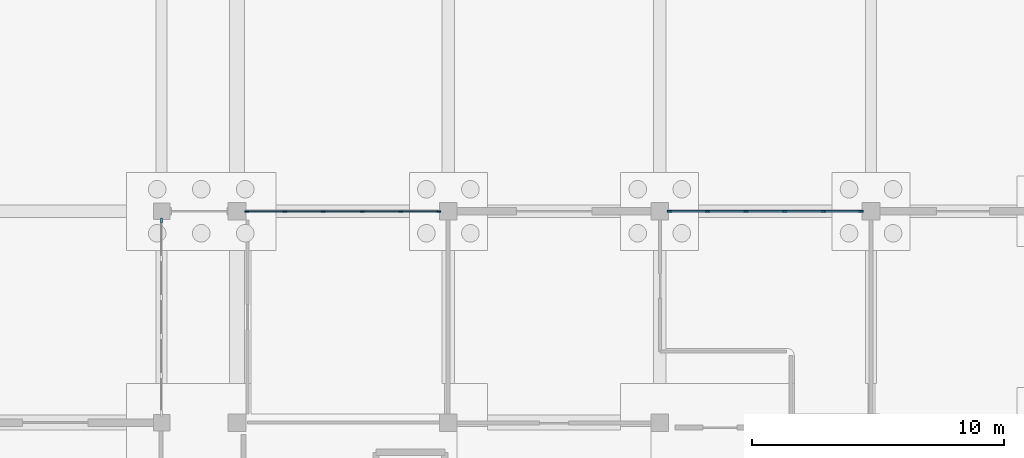
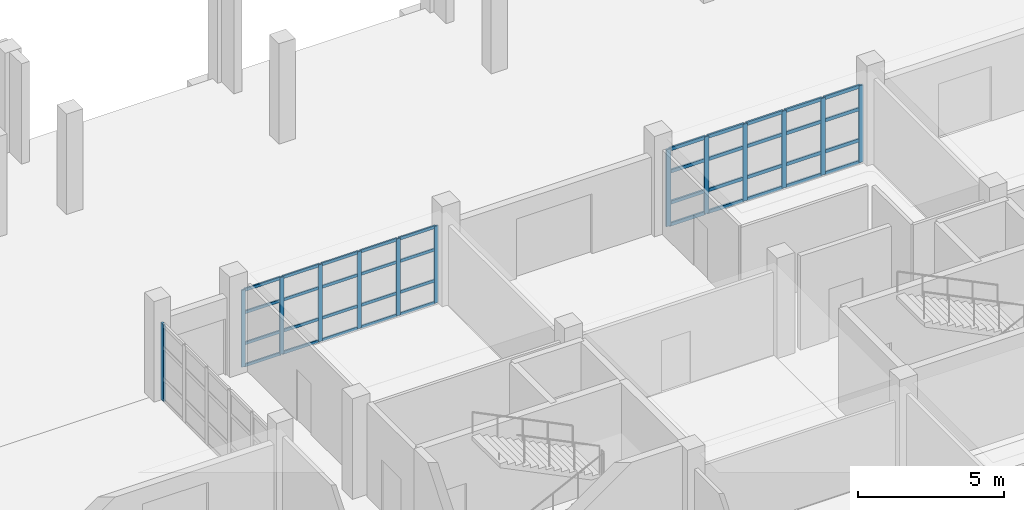
# One storey, part 35 of 88: 53 members, 3 elements without a shape of their own.
"""IFC4 building model written with IfcOpenShell, lengths in metres."""

from ifc_helpers import new_model, si_unit, direction, frame, origin, origin_2d, place, context, subcontext, project, spatial, rectangle, extrude, material, material_profile, profile_set, type_object, element, aggregate, save


model = new_model("IFC4")

# Units and contexts
model_context = context("Model", 3, precision=1e-05, world=origin(), true_north=direction((0.0, 1.0)))
body_context = subcontext(model_context, "Body", "Model", "MODEL_VIEW")
ifc_project = project(units=[si_unit("LENGTHUNIT", "METRE"), si_unit("AREAUNIT", "SQUARE_METRE"), si_unit("VOLUMEUNIT", "CUBIC_METRE"), si_unit("PLANEANGLEUNIT", "RADIAN"), si_unit("MASSUNIT", "GRAM", prefix="KILO")], contexts=[model_context])

# Site, building, storey
site_placement = place(None, origin())
site = spatial("IfcSite", under=ifc_project, at=site_placement, CompositionType="ELEMENT")
building_placement = place(site_placement, origin())
building = spatial("IfcBuilding", under=site, at=building_placement, Name="Vanh Quang Courtyard School", CompositionType="ELEMENT")
storey_placement = place(building_placement, origin())
storey = spatial("IfcBuildingStorey", under=building, at=storey_placement, Name="L00", CompositionType="ELEMENT", Elevation=0.0)

# Curtain wall, members
ifc_material_1 = material(Name="Thermally broken aluminium unitised curtain wall", Category="aluminium")
curtain_wall_type = type_object("IfcCurtainWallType", Name="CW-SYS-02", PredefinedType="NOTDEFINED", material=ifc_material_1)
curtain_wall_1_placement = place(storey_placement, origin())
curtain_wall_1 = element("IfcCurtainWall", 1, at=curtain_wall_1_placement, inside=storey, type_object=curtain_wall_type, Name="Curtain Wall CW-02 (L00)", PredefinedType="NOTDEFINED")
ifc_material_2 = material(Name="Anodised aluminium 6063-T6", Category="aluminium")
ifc_material_profile_1 = material_profile(ifc_material_2, rectangle(XDim=0.06005859375, YDim=0.159912109375, at=origin_2d()), Name="ALU-MUL 60x160")
ifc_profile_set_1 = profile_set([ifc_material_profile_1], Name="Anodised aluminium 6063-T6")
member_type_1 = type_object("IfcMemberType", Name="CW-MUL-60x160", PredefinedType="MULLION", material=ifc_profile_set_1)
member_1_placement = place(storey_placement, frame((77.7880859375, 96.60009765625, 0.0), z_axis=(0.0, 0.0, 1.0), x_axis=(0.0, 1.0, 0.0)))
member_1 = element("IfcMember", 2, at=member_1_placement, type_object=member_type_1, Name="CW-02 mullion 1", PredefinedType="MULLION", context=body_context, shape_type="SweptSolid", body=[
    extrude(rectangle(XDim=0.06005859375, YDim=0.159912109375, at=origin_2d()), origin(), (0.0, 0.0, 1.0), 3.219970703125),
])
member_2_placement = place(storey_placement, frame((79.294921875, 96.60009765625, 0.0), z_axis=(0.0, 0.0, 1.0), x_axis=(0.0, 1.0, 0.0)))
member_2 = element("IfcMember", 3, at=member_2_placement, type_object=member_type_1, Name="CW-02 mullion 2", PredefinedType="MULLION", context=body_context, shape_type="SweptSolid", body=[
    extrude(rectangle(XDim=0.06005859375, YDim=0.159912109375, at=origin_2d()), origin(), (0.0, 0.0, 1.0), 3.219970703125),
])
member_3_placement = place(storey_placement, frame((80.83154296875, 96.60009765625, 0.0), z_axis=(0.0, 0.0, 1.0), x_axis=(0.0, 1.0, 0.0)))
member_3 = element("IfcMember", 4, at=member_3_placement, type_object=member_type_1, Name="CW-02 mullion 3", PredefinedType="MULLION", context=body_context, shape_type="SweptSolid", body=[
    extrude(rectangle(XDim=0.06005859375, YDim=0.159912109375, at=origin_2d()), origin(), (0.0, 0.0, 1.0), 3.219970703125),
])
member_4_placement = place(storey_placement, frame((82.368408203125, 96.60009765625, 0.0), z_axis=(0.0, 0.0, 1.0), x_axis=(0.0, 1.0, 0.0)))
member_4 = element("IfcMember", 5, at=member_4_placement, type_object=member_type_1, Name="CW-02 mullion 4", PredefinedType="MULLION", context=body_context, shape_type="SweptSolid", body=[
    extrude(rectangle(XDim=0.06005859375, YDim=0.159912109375, at=origin_2d()), origin(), (0.0, 0.0, 1.0), 3.219970703125),
])
member_5_placement = place(storey_placement, frame((83.9052734375, 96.60009765625, 0.0), z_axis=(0.0, 0.0, 1.0), x_axis=(0.0, 1.0, 0.0)))
member_5 = element("IfcMember", 6, at=member_5_placement, type_object=member_type_1, Name="CW-02 mullion 5", PredefinedType="MULLION", context=body_context, shape_type="SweptSolid", body=[
    extrude(rectangle(XDim=0.06005859375, YDim=0.159912109375, at=origin_2d()), origin(), (0.0, 0.0, 1.0), 3.219970703125),
])
member_6_placement = place(storey_placement, frame((85.412109375, 96.60009765625, 0.0), z_axis=(0.0, 0.0, 1.0), x_axis=(0.0, 1.0, 0.0)))
member_6 = element("IfcMember", 7, at=member_6_placement, type_object=member_type_1, Name="CW-02 mullion 6", PredefinedType="MULLION", context=body_context, shape_type="SweptSolid", body=[
    extrude(rectangle(XDim=0.06005859375, YDim=0.159912109375, at=origin_2d()), origin(), (0.0, 0.0, 1.0), 3.219970703125),
])

curtain_wall_2_placement = place(storey_placement, origin())
curtain_wall_2 = element("IfcCurtainWall", 8, at=curtain_wall_2_placement, inside=storey, type_object=curtain_wall_type, Name="Curtain Wall CW-02 (L00)", PredefinedType="NOTDEFINED")
ifc_material_profile_2 = material_profile(ifc_material_2, rectangle(XDim=0.070068359375, YDim=0.179931640625, at=origin_2d()), Name="ALU-MUL 70x180")
ifc_profile_set_2 = profile_set([ifc_material_profile_2], Name="Anodised aluminium 6063-T6")
member_type_2 = type_object("IfcMemberType", Name="CW-MUL-70x180", PredefinedType="MULLION", material=ifc_profile_set_2)
member_7_placement = place(storey_placement, frame((94.593017578125, 96.60009765625, 0.0), z_axis=(0.0, 0.0, 1.0), x_axis=(0.0, 1.0, 0.0)))
member_7 = element("IfcMember", 9, at=member_7_placement, type_object=member_type_2, Name="CW-02 mullion 1", PredefinedType="MULLION", context=body_context, shape_type="SweptSolid", body=[
    extrude(rectangle(XDim=0.070068359375, YDim=0.179931640625, at=origin_2d()), origin(), (0.0, 0.0, 1.0), 3.219970703125),
])
member_8_placement = place(storey_placement, frame((96.0947265625, 96.60009765625, 0.0), z_axis=(0.0, 0.0, 1.0), x_axis=(0.0, 1.0, 0.0)))
member_8 = element("IfcMember", 10, at=member_8_placement, type_object=member_type_2, Name="CW-02 mullion 2", PredefinedType="MULLION", context=body_context, shape_type="SweptSolid", body=[
    extrude(rectangle(XDim=0.070068359375, YDim=0.179931640625, at=origin_2d()), origin(), (0.0, 0.0, 1.0), 3.219970703125),
])
member_9_placement = place(storey_placement, frame((97.631591796875, 96.60009765625, 0.0), z_axis=(0.0, 0.0, 1.0), x_axis=(0.0, 1.0, 0.0)))
member_9 = element("IfcMember", 11, at=member_9_placement, type_object=member_type_2, Name="CW-02 mullion 3", PredefinedType="MULLION", context=body_context, shape_type="SweptSolid", body=[
    extrude(rectangle(XDim=0.070068359375, YDim=0.179931640625, at=origin_2d()), origin(), (0.0, 0.0, 1.0), 3.219970703125),
])
member_10_placement = place(storey_placement, frame((99.16845703125, 96.60009765625, 0.0), z_axis=(0.0, 0.0, 1.0), x_axis=(0.0, 1.0, 0.0)))
member_10 = element("IfcMember", 12, at=member_10_placement, type_object=member_type_2, Name="CW-02 mullion 4", PredefinedType="MULLION", context=body_context, shape_type="SweptSolid", body=[
    extrude(rectangle(XDim=0.070068359375, YDim=0.179931640625, at=origin_2d()), origin(), (0.0, 0.0, 1.0), 3.219970703125),
])
member_11_placement = place(storey_placement, frame((100.705078125, 96.60009765625, 0.0), z_axis=(0.0, 0.0, 1.0), x_axis=(0.0, 1.0, 0.0)))
member_11 = element("IfcMember", 13, at=member_11_placement, type_object=member_type_2, Name="CW-02 mullion 5", PredefinedType="MULLION", context=body_context, shape_type="SweptSolid", body=[
    extrude(rectangle(XDim=0.070068359375, YDim=0.179931640625, at=origin_2d()), origin(), (0.0, 0.0, 1.0), 3.219970703125),
])
member_12_placement = place(storey_placement, frame((102.20703125, 96.60009765625, 0.0), z_axis=(0.0, 0.0, 1.0), x_axis=(0.0, 1.0, 0.0)))
member_12 = element("IfcMember", 14, at=member_12_placement, type_object=member_type_2, Name="CW-02 mullion 6", PredefinedType="MULLION", context=body_context, shape_type="SweptSolid", body=[
    extrude(rectangle(XDim=0.070068359375, YDim=0.179931640625, at=origin_2d()), origin(), (0.0, 0.0, 1.0), 3.219970703125),
])

# Curtain wall, member
curtain_wall_3_placement = place(storey_placement, origin())
curtain_wall_3 = element("IfcCurtainWall", 15, at=curtain_wall_3_placement, inside=storey, type_object=curtain_wall_type, Name="Curtain Wall CW-02 (L00)", PredefinedType="NOTDEFINED")
ifc_material_profile_3 = material_profile(ifc_material_2, rectangle(XDim=0.080078125, YDim=0.199951171875, at=origin_2d()), Name="ALU-MUL 80x200")
ifc_profile_set_3 = profile_set([ifc_material_profile_3], Name="Anodised aluminium 6063-T6")
member_type_3 = type_object("IfcMemberType", Name="CW-MUL-80x200", PredefinedType="MULLION", material=ifc_profile_set_3)
member_13_placement = place(storey_placement, frame((74.39990234375, 96.22705078125, 0.0), z_axis=(0.0, 0.0, 1.0), x_axis=(-1.0, 0.0, 0.0)))
member_13 = element("IfcMember", 16, at=member_13_placement, type_object=member_type_3, Name="CW-02 mullion 6", PredefinedType="MULLION", context=body_context, shape_type="SweptSolid", body=[
    extrude(rectangle(XDim=0.080078125, YDim=0.199951171875, at=origin_2d()), origin(), (0.0, 0.0, 1.0), 3.219970703125),
])
aggregate(curtain_wall_3, [member_13])

# Member
ifc_material_profile_4 = material_profile(ifc_material_2, rectangle(XDim=0.06005859375, YDim=0.1201171875, at=origin_2d()), Name="ALU-TRN 60x120")
ifc_profile_set_4 = profile_set([ifc_material_profile_4], Name="Anodised aluminium 6063-T6")
member_type_4 = type_object("IfcMemberType", Name="CW-TRN-60x120", PredefinedType="USERDEFINED", material=ifc_profile_set_4)
member_14_placement = place(storey_placement, frame((77.818115234375, 96.60009765625, 0.030029296875), z_axis=(1.0, 0.0, 0.0), x_axis=(0.0, 1.0, 0.0)))
member_14 = element("IfcMember", 17, at=member_14_placement, type_object=member_type_4, Name="CW-02 transom 1.1", ObjectType="TRANSOM", PredefinedType="USERDEFINED", context=body_context, shape_type="SweptSolid", body=[
    extrude(rectangle(XDim=0.06005859375, YDim=0.1201171875, at=origin_2d()), origin(), (0.0, 0.0, 1.0), 1.44677734375),
])

member_15_placement = place(storey_placement, frame((77.818115234375, 96.60009765625, 0.949951171875), z_axis=(1.0, 0.0, 0.0), x_axis=(0.0, 1.0, 0.0)))
member_15 = element("IfcMember", 18, at=member_15_placement, type_object=member_type_4, Name="CW-02 transom 1.2", ObjectType="TRANSOM", PredefinedType="USERDEFINED", context=body_context, shape_type="SweptSolid", body=[
    extrude(rectangle(XDim=0.06005859375, YDim=0.1201171875, at=origin_2d()), origin(), (0.0, 0.0, 1.0), 1.44677734375),
])

member_16_placement = place(storey_placement, frame((77.818115234375, 96.60009765625, 2.25), z_axis=(1.0, 0.0, 0.0), x_axis=(0.0, 1.0, 0.0)))
member_16 = element("IfcMember", 19, at=member_16_placement, type_object=member_type_4, Name="CW-02 transom 1.3", ObjectType="TRANSOM", PredefinedType="USERDEFINED", context=body_context, shape_type="SweptSolid", body=[
    extrude(rectangle(XDim=0.06005859375, YDim=0.1201171875, at=origin_2d()), origin(), (0.0, 0.0, 1.0), 1.44677734375),
])

member_17_placement = place(storey_placement, frame((77.818115234375, 96.60009765625, 3.18994140625), z_axis=(1.0, 0.0, 0.0), x_axis=(0.0, 1.0, 0.0)))
member_17 = element("IfcMember", 20, at=member_17_placement, type_object=member_type_4, Name="CW-02 transom 1.4", ObjectType="TRANSOM", PredefinedType="USERDEFINED", context=body_context, shape_type="SweptSolid", body=[
    extrude(rectangle(XDim=0.06005859375, YDim=0.1201171875, at=origin_2d()), origin(), (0.0, 0.0, 1.0), 1.44677734375),
])

member_18_placement = place(storey_placement, frame((79.32470703125, 96.60009765625, 0.030029296875), z_axis=(1.0, 0.0, 0.0), x_axis=(0.0, 1.0, 0.0)))
member_18 = element("IfcMember", 21, at=member_18_placement, type_object=member_type_4, Name="CW-02 transom 2.1", ObjectType="TRANSOM", PredefinedType="USERDEFINED", context=body_context, shape_type="SweptSolid", body=[
    extrude(rectangle(XDim=0.06005859375, YDim=0.1201171875, at=origin_2d()), origin(), (0.0, 0.0, 1.0), 1.476806640625),
])

member_19_placement = place(storey_placement, frame((79.32470703125, 96.60009765625, 0.949951171875), z_axis=(1.0, 0.0, 0.0), x_axis=(0.0, 1.0, 0.0)))
member_19 = element("IfcMember", 22, at=member_19_placement, type_object=member_type_4, Name="CW-02 transom 2.2", ObjectType="TRANSOM", PredefinedType="USERDEFINED", context=body_context, shape_type="SweptSolid", body=[
    extrude(rectangle(XDim=0.06005859375, YDim=0.1201171875, at=origin_2d()), origin(), (0.0, 0.0, 1.0), 1.476806640625),
])

member_20_placement = place(storey_placement, frame((79.32470703125, 96.60009765625, 2.25), z_axis=(1.0, 0.0, 0.0), x_axis=(0.0, 1.0, 0.0)))
member_20 = element("IfcMember", 23, at=member_20_placement, type_object=member_type_4, Name="CW-02 transom 2.3", ObjectType="TRANSOM", PredefinedType="USERDEFINED", context=body_context, shape_type="SweptSolid", body=[
    extrude(rectangle(XDim=0.06005859375, YDim=0.1201171875, at=origin_2d()), origin(), (0.0, 0.0, 1.0), 1.476806640625),
])

member_21_placement = place(storey_placement, frame((79.32470703125, 96.60009765625, 3.18994140625), z_axis=(1.0, 0.0, 0.0), x_axis=(0.0, 1.0, 0.0)))
member_21 = element("IfcMember", 24, at=member_21_placement, type_object=member_type_4, Name="CW-02 transom 2.4", ObjectType="TRANSOM", PredefinedType="USERDEFINED", context=body_context, shape_type="SweptSolid", body=[
    extrude(rectangle(XDim=0.06005859375, YDim=0.1201171875, at=origin_2d()), origin(), (0.0, 0.0, 1.0), 1.476806640625),
])

member_22_placement = place(storey_placement, frame((80.861572265625, 96.60009765625, 0.030029296875), z_axis=(1.0, 0.0, 0.0), x_axis=(0.0, 1.0, 0.0)))
member_22 = element("IfcMember", 25, at=member_22_placement, type_object=member_type_4, Name="CW-02 transom 3.1", ObjectType="TRANSOM", PredefinedType="USERDEFINED", context=body_context, shape_type="SweptSolid", body=[
    extrude(rectangle(XDim=0.06005859375, YDim=0.1201171875, at=origin_2d()), origin(), (0.0, 0.0, 1.0), 1.476806640625),
])

member_23_placement = place(storey_placement, frame((80.861572265625, 96.60009765625, 0.949951171875), z_axis=(1.0, 0.0, 0.0), x_axis=(0.0, 1.0, 0.0)))
member_23 = element("IfcMember", 26, at=member_23_placement, type_object=member_type_4, Name="CW-02 transom 3.2", ObjectType="TRANSOM", PredefinedType="USERDEFINED", context=body_context, shape_type="SweptSolid", body=[
    extrude(rectangle(XDim=0.06005859375, YDim=0.1201171875, at=origin_2d()), origin(), (0.0, 0.0, 1.0), 1.476806640625),
])

member_24_placement = place(storey_placement, frame((80.861572265625, 96.60009765625, 2.25), z_axis=(1.0, 0.0, 0.0), x_axis=(0.0, 1.0, 0.0)))
member_24 = element("IfcMember", 27, at=member_24_placement, type_object=member_type_4, Name="CW-02 transom 3.3", ObjectType="TRANSOM", PredefinedType="USERDEFINED", context=body_context, shape_type="SweptSolid", body=[
    extrude(rectangle(XDim=0.06005859375, YDim=0.1201171875, at=origin_2d()), origin(), (0.0, 0.0, 1.0), 1.476806640625),
])

member_25_placement = place(storey_placement, frame((80.861572265625, 96.60009765625, 3.18994140625), z_axis=(1.0, 0.0, 0.0), x_axis=(0.0, 1.0, 0.0)))
member_25 = element("IfcMember", 28, at=member_25_placement, type_object=member_type_4, Name="CW-02 transom 3.4", ObjectType="TRANSOM", PredefinedType="USERDEFINED", context=body_context, shape_type="SweptSolid", body=[
    extrude(rectangle(XDim=0.06005859375, YDim=0.1201171875, at=origin_2d()), origin(), (0.0, 0.0, 1.0), 1.476806640625),
])

member_26_placement = place(storey_placement, frame((82.3984375, 96.60009765625, 0.030029296875), z_axis=(1.0, 0.0, 0.0), x_axis=(0.0, 1.0, 0.0)))
member_26 = element("IfcMember", 29, at=member_26_placement, type_object=member_type_4, Name="CW-02 transom 4.1", ObjectType="TRANSOM", PredefinedType="USERDEFINED", context=body_context, shape_type="SweptSolid", body=[
    extrude(rectangle(XDim=0.06005859375, YDim=0.1201171875, at=origin_2d()), origin(), (0.0, 0.0, 1.0), 1.476806640625),
])

member_27_placement = place(storey_placement, frame((82.3984375, 96.60009765625, 0.949951171875), z_axis=(1.0, 0.0, 0.0), x_axis=(0.0, 1.0, 0.0)))
member_27 = element("IfcMember", 30, at=member_27_placement, type_object=member_type_4, Name="CW-02 transom 4.2", ObjectType="TRANSOM", PredefinedType="USERDEFINED", context=body_context, shape_type="SweptSolid", body=[
    extrude(rectangle(XDim=0.06005859375, YDim=0.1201171875, at=origin_2d()), origin(), (0.0, 0.0, 1.0), 1.476806640625),
])

member_28_placement = place(storey_placement, frame((82.3984375, 96.60009765625, 2.25), z_axis=(1.0, 0.0, 0.0), x_axis=(0.0, 1.0, 0.0)))
member_28 = element("IfcMember", 31, at=member_28_placement, type_object=member_type_4, Name="CW-02 transom 4.3", ObjectType="TRANSOM", PredefinedType="USERDEFINED", context=body_context, shape_type="SweptSolid", body=[
    extrude(rectangle(XDim=0.06005859375, YDim=0.1201171875, at=origin_2d()), origin(), (0.0, 0.0, 1.0), 1.476806640625),
])

member_29_placement = place(storey_placement, frame((82.3984375, 96.60009765625, 3.18994140625), z_axis=(1.0, 0.0, 0.0), x_axis=(0.0, 1.0, 0.0)))
member_29 = element("IfcMember", 32, at=member_29_placement, type_object=member_type_4, Name="CW-02 transom 4.4", ObjectType="TRANSOM", PredefinedType="USERDEFINED", context=body_context, shape_type="SweptSolid", body=[
    extrude(rectangle(XDim=0.06005859375, YDim=0.1201171875, at=origin_2d()), origin(), (0.0, 0.0, 1.0), 1.476806640625),
])

member_30_placement = place(storey_placement, frame((83.935302734375, 96.60009765625, 0.030029296875), z_axis=(1.0, 0.0, 0.0), x_axis=(0.0, 1.0, 0.0)))
member_30 = element("IfcMember", 33, at=member_30_placement, type_object=member_type_4, Name="CW-02 transom 5.1", ObjectType="TRANSOM", PredefinedType="USERDEFINED", context=body_context, shape_type="SweptSolid", body=[
    extrude(rectangle(XDim=0.06005859375, YDim=0.1201171875, at=origin_2d()), origin(), (0.0, 0.0, 1.0), 1.44677734375),
])

member_31_placement = place(storey_placement, frame((83.935302734375, 96.60009765625, 0.949951171875), z_axis=(1.0, 0.0, 0.0), x_axis=(0.0, 1.0, 0.0)))
member_31 = element("IfcMember", 34, at=member_31_placement, type_object=member_type_4, Name="CW-02 transom 5.2", ObjectType="TRANSOM", PredefinedType="USERDEFINED", context=body_context, shape_type="SweptSolid", body=[
    extrude(rectangle(XDim=0.06005859375, YDim=0.1201171875, at=origin_2d()), origin(), (0.0, 0.0, 1.0), 1.44677734375),
])

member_32_placement = place(storey_placement, frame((83.935302734375, 96.60009765625, 2.25), z_axis=(1.0, 0.0, 0.0), x_axis=(0.0, 1.0, 0.0)))
member_32 = element("IfcMember", 35, at=member_32_placement, type_object=member_type_4, Name="CW-02 transom 5.3", ObjectType="TRANSOM", PredefinedType="USERDEFINED", context=body_context, shape_type="SweptSolid", body=[
    extrude(rectangle(XDim=0.06005859375, YDim=0.1201171875, at=origin_2d()), origin(), (0.0, 0.0, 1.0), 1.44677734375),
])

member_33_placement = place(storey_placement, frame((83.935302734375, 96.60009765625, 3.18994140625), z_axis=(1.0, 0.0, 0.0), x_axis=(0.0, 1.0, 0.0)))
member_33 = element("IfcMember", 36, at=member_33_placement, type_object=member_type_4, Name="CW-02 transom 5.4", ObjectType="TRANSOM", PredefinedType="USERDEFINED", context=body_context, shape_type="SweptSolid", body=[
    extrude(rectangle(XDim=0.06005859375, YDim=0.1201171875, at=origin_2d()), origin(), (0.0, 0.0, 1.0), 1.44677734375),
])

aggregate(curtain_wall_1, [member_1, member_2, member_3, member_4, member_5, member_6, member_14, member_15, member_16, member_17, member_18, member_19, member_20, member_21, member_22, member_23, member_24, member_25, member_26, member_27, member_28, member_29, member_30, member_31, member_32, member_33])

ifc_material_profile_5 = material_profile(ifc_material_2, rectangle(XDim=0.070068359375, YDim=0.139892578125, at=origin_2d()), Name="ALU-TRN 70x140")
ifc_profile_set_5 = profile_set([ifc_material_profile_5], Name="Anodised aluminium 6063-T6")
member_type_5 = type_object("IfcMemberType", Name="CW-TRN-70x140", PredefinedType="USERDEFINED", material=ifc_profile_set_5)
member_34_placement = place(storey_placement, frame((94.6279296875, 96.60009765625, 0.034912109375), z_axis=(1.0, 0.0, 0.0), x_axis=(0.0, 1.0, 0.0)))
member_34 = element("IfcMember", 37, at=member_34_placement, type_object=member_type_5, Name="CW-02 transom 1.1", ObjectType="TRANSOM", PredefinedType="USERDEFINED", context=body_context, shape_type="SweptSolid", body=[
    extrude(rectangle(XDim=0.070068359375, YDim=0.139892578125, at=origin_2d()), origin(), (0.0, 0.0, 1.0), 1.431884765625),
])

member_35_placement = place(storey_placement, frame((94.6279296875, 96.60009765625, 0.949951171875), z_axis=(1.0, 0.0, 0.0), x_axis=(0.0, 1.0, 0.0)))
member_35 = element("IfcMember", 38, at=member_35_placement, type_object=member_type_5, Name="CW-02 transom 1.2", ObjectType="TRANSOM", PredefinedType="USERDEFINED", context=body_context, shape_type="SweptSolid", body=[
    extrude(rectangle(XDim=0.070068359375, YDim=0.139892578125, at=origin_2d()), origin(), (0.0, 0.0, 1.0), 1.431884765625),
])

member_36_placement = place(storey_placement, frame((94.6279296875, 96.60009765625, 2.25), z_axis=(1.0, 0.0, 0.0), x_axis=(0.0, 1.0, 0.0)))
member_36 = element("IfcMember", 39, at=member_36_placement, type_object=member_type_5, Name="CW-02 transom 1.3", ObjectType="TRANSOM", PredefinedType="USERDEFINED", context=body_context, shape_type="SweptSolid", body=[
    extrude(rectangle(XDim=0.070068359375, YDim=0.139892578125, at=origin_2d()), origin(), (0.0, 0.0, 1.0), 1.431884765625),
])

member_37_placement = place(storey_placement, frame((94.6279296875, 96.60009765625, 3.18505859375), z_axis=(1.0, 0.0, 0.0), x_axis=(0.0, 1.0, 0.0)))
member_37 = element("IfcMember", 40, at=member_37_placement, type_object=member_type_5, Name="CW-02 transom 1.4", ObjectType="TRANSOM", PredefinedType="USERDEFINED", context=body_context, shape_type="SweptSolid", body=[
    extrude(rectangle(XDim=0.070068359375, YDim=0.139892578125, at=origin_2d()), origin(), (0.0, 0.0, 1.0), 1.431884765625),
])

member_38_placement = place(storey_placement, frame((96.1298828125, 96.60009765625, 0.034912109375), z_axis=(1.0, 0.0, 0.0), x_axis=(0.0, 1.0, 0.0)))
member_38 = element("IfcMember", 41, at=member_38_placement, type_object=member_type_5, Name="CW-02 transom 2.1", ObjectType="TRANSOM", PredefinedType="USERDEFINED", context=body_context, shape_type="SweptSolid", body=[
    extrude(rectangle(XDim=0.070068359375, YDim=0.139892578125, at=origin_2d()), origin(), (0.0, 0.0, 1.0), 1.466796875),
])

member_39_placement = place(storey_placement, frame((96.1298828125, 96.60009765625, 0.949951171875), z_axis=(1.0, 0.0, 0.0), x_axis=(0.0, 1.0, 0.0)))
member_39 = element("IfcMember", 42, at=member_39_placement, type_object=member_type_5, Name="CW-02 transom 2.2", ObjectType="TRANSOM", PredefinedType="USERDEFINED", context=body_context, shape_type="SweptSolid", body=[
    extrude(rectangle(XDim=0.070068359375, YDim=0.139892578125, at=origin_2d()), origin(), (0.0, 0.0, 1.0), 1.466796875),
])

member_40_placement = place(storey_placement, frame((96.1298828125, 96.60009765625, 2.25), z_axis=(1.0, 0.0, 0.0), x_axis=(0.0, 1.0, 0.0)))
member_40 = element("IfcMember", 43, at=member_40_placement, type_object=member_type_5, Name="CW-02 transom 2.3", ObjectType="TRANSOM", PredefinedType="USERDEFINED", context=body_context, shape_type="SweptSolid", body=[
    extrude(rectangle(XDim=0.070068359375, YDim=0.139892578125, at=origin_2d()), origin(), (0.0, 0.0, 1.0), 1.466796875),
])

member_41_placement = place(storey_placement, frame((96.1298828125, 96.60009765625, 3.18505859375), z_axis=(1.0, 0.0, 0.0), x_axis=(0.0, 1.0, 0.0)))
member_41 = element("IfcMember", 44, at=member_41_placement, type_object=member_type_5, Name="CW-02 transom 2.4", ObjectType="TRANSOM", PredefinedType="USERDEFINED", context=body_context, shape_type="SweptSolid", body=[
    extrude(rectangle(XDim=0.070068359375, YDim=0.139892578125, at=origin_2d()), origin(), (0.0, 0.0, 1.0), 1.466796875),
])

member_42_placement = place(storey_placement, frame((97.66650390625, 96.60009765625, 0.034912109375), z_axis=(1.0, 0.0, 0.0), x_axis=(0.0, 1.0, 0.0)))
member_42 = element("IfcMember", 45, at=member_42_placement, type_object=member_type_5, Name="CW-02 transom 3.1", ObjectType="TRANSOM", PredefinedType="USERDEFINED", context=body_context, shape_type="SweptSolid", body=[
    extrude(rectangle(XDim=0.070068359375, YDim=0.139892578125, at=origin_2d()), origin(), (0.0, 0.0, 1.0), 1.466796875),
])

member_43_placement = place(storey_placement, frame((97.66650390625, 96.60009765625, 0.949951171875), z_axis=(1.0, 0.0, 0.0), x_axis=(0.0, 1.0, 0.0)))
member_43 = element("IfcMember", 46, at=member_43_placement, type_object=member_type_5, Name="CW-02 transom 3.2", ObjectType="TRANSOM", PredefinedType="USERDEFINED", context=body_context, shape_type="SweptSolid", body=[
    extrude(rectangle(XDim=0.070068359375, YDim=0.139892578125, at=origin_2d()), origin(), (0.0, 0.0, 1.0), 1.466796875),
])

member_44_placement = place(storey_placement, frame((97.66650390625, 96.60009765625, 2.25), z_axis=(1.0, 0.0, 0.0), x_axis=(0.0, 1.0, 0.0)))
member_44 = element("IfcMember", 47, at=member_44_placement, type_object=member_type_5, Name="CW-02 transom 3.3", ObjectType="TRANSOM", PredefinedType="USERDEFINED", context=body_context, shape_type="SweptSolid", body=[
    extrude(rectangle(XDim=0.070068359375, YDim=0.139892578125, at=origin_2d()), origin(), (0.0, 0.0, 1.0), 1.466796875),
])

member_45_placement = place(storey_placement, frame((97.66650390625, 96.60009765625, 3.18505859375), z_axis=(1.0, 0.0, 0.0), x_axis=(0.0, 1.0, 0.0)))
member_45 = element("IfcMember", 48, at=member_45_placement, type_object=member_type_5, Name="CW-02 transom 3.4", ObjectType="TRANSOM", PredefinedType="USERDEFINED", context=body_context, shape_type="SweptSolid", body=[
    extrude(rectangle(XDim=0.070068359375, YDim=0.139892578125, at=origin_2d()), origin(), (0.0, 0.0, 1.0), 1.466796875),
])

member_46_placement = place(storey_placement, frame((99.203369140625, 96.60009765625, 0.034912109375), z_axis=(1.0, 0.0, 0.0), x_axis=(0.0, 1.0, 0.0)))
member_46 = element("IfcMember", 49, at=member_46_placement, type_object=member_type_5, Name="CW-02 transom 4.1", ObjectType="TRANSOM", PredefinedType="USERDEFINED", context=body_context, shape_type="SweptSolid", body=[
    extrude(rectangle(XDim=0.070068359375, YDim=0.139892578125, at=origin_2d()), origin(), (0.0, 0.0, 1.0), 1.466796875),
])

member_47_placement = place(storey_placement, frame((99.203369140625, 96.60009765625, 0.949951171875), z_axis=(1.0, 0.0, 0.0), x_axis=(0.0, 1.0, 0.0)))
member_47 = element("IfcMember", 50, at=member_47_placement, type_object=member_type_5, Name="CW-02 transom 4.2", ObjectType="TRANSOM", PredefinedType="USERDEFINED", context=body_context, shape_type="SweptSolid", body=[
    extrude(rectangle(XDim=0.070068359375, YDim=0.139892578125, at=origin_2d()), origin(), (0.0, 0.0, 1.0), 1.466796875),
])

member_48_placement = place(storey_placement, frame((99.203369140625, 96.60009765625, 2.25), z_axis=(1.0, 0.0, 0.0), x_axis=(0.0, 1.0, 0.0)))
member_48 = element("IfcMember", 51, at=member_48_placement, type_object=member_type_5, Name="CW-02 transom 4.3", ObjectType="TRANSOM", PredefinedType="USERDEFINED", context=body_context, shape_type="SweptSolid", body=[
    extrude(rectangle(XDim=0.070068359375, YDim=0.139892578125, at=origin_2d()), origin(), (0.0, 0.0, 1.0), 1.466796875),
])

member_49_placement = place(storey_placement, frame((99.203369140625, 96.60009765625, 3.18505859375), z_axis=(1.0, 0.0, 0.0), x_axis=(0.0, 1.0, 0.0)))
member_49 = element("IfcMember", 52, at=member_49_placement, type_object=member_type_5, Name="CW-02 transom 4.4", ObjectType="TRANSOM", PredefinedType="USERDEFINED", context=body_context, shape_type="SweptSolid", body=[
    extrude(rectangle(XDim=0.070068359375, YDim=0.139892578125, at=origin_2d()), origin(), (0.0, 0.0, 1.0), 1.466796875),
])

member_50_placement = place(storey_placement, frame((100.740234375, 96.60009765625, 0.034912109375), z_axis=(1.0, 0.0, 0.0), x_axis=(0.0, 1.0, 0.0)))
member_50 = element("IfcMember", 53, at=member_50_placement, type_object=member_type_5, Name="CW-02 transom 5.1", ObjectType="TRANSOM", PredefinedType="USERDEFINED", context=body_context, shape_type="SweptSolid", body=[
    extrude(rectangle(XDim=0.070068359375, YDim=0.139892578125, at=origin_2d()), origin(), (0.0, 0.0, 1.0), 1.431884765625),
])

member_51_placement = place(storey_placement, frame((100.740234375, 96.60009765625, 0.949951171875), z_axis=(1.0, 0.0, 0.0), x_axis=(0.0, 1.0, 0.0)))
member_51 = element("IfcMember", 54, at=member_51_placement, type_object=member_type_5, Name="CW-02 transom 5.2", ObjectType="TRANSOM", PredefinedType="USERDEFINED", context=body_context, shape_type="SweptSolid", body=[
    extrude(rectangle(XDim=0.070068359375, YDim=0.139892578125, at=origin_2d()), origin(), (0.0, 0.0, 1.0), 1.431884765625),
])

member_52_placement = place(storey_placement, frame((100.740234375, 96.60009765625, 2.25), z_axis=(1.0, 0.0, 0.0), x_axis=(0.0, 1.0, 0.0)))
member_52 = element("IfcMember", 55, at=member_52_placement, type_object=member_type_5, Name="CW-02 transom 5.3", ObjectType="TRANSOM", PredefinedType="USERDEFINED", context=body_context, shape_type="SweptSolid", body=[
    extrude(rectangle(XDim=0.070068359375, YDim=0.139892578125, at=origin_2d()), origin(), (0.0, 0.0, 1.0), 1.431884765625),
])

member_53_placement = place(storey_placement, frame((100.740234375, 96.60009765625, 3.18505859375), z_axis=(1.0, 0.0, 0.0), x_axis=(0.0, 1.0, 0.0)))
member_53 = element("IfcMember", 56, at=member_53_placement, type_object=member_type_5, Name="CW-02 transom 5.4", ObjectType="TRANSOM", PredefinedType="USERDEFINED", context=body_context, shape_type="SweptSolid", body=[
    extrude(rectangle(XDim=0.070068359375, YDim=0.139892578125, at=origin_2d()), origin(), (0.0, 0.0, 1.0), 1.431884765625),
])

aggregate(curtain_wall_2, [member_7, member_8, member_9, member_10, member_11, member_12, member_34, member_35, member_36, member_37, member_38, member_39, member_40, member_41, member_42, member_43, member_44, member_45, member_46, member_47, member_48, member_49, member_50, member_51, member_52, member_53])

save(model, "model.ifc")
